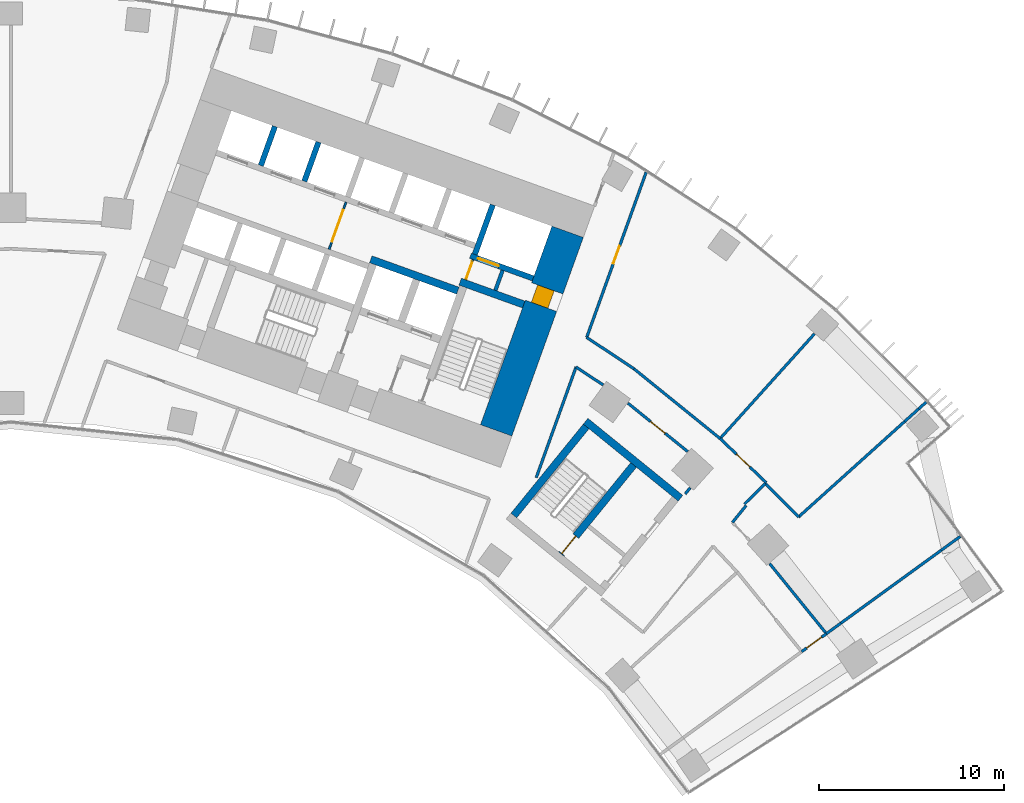
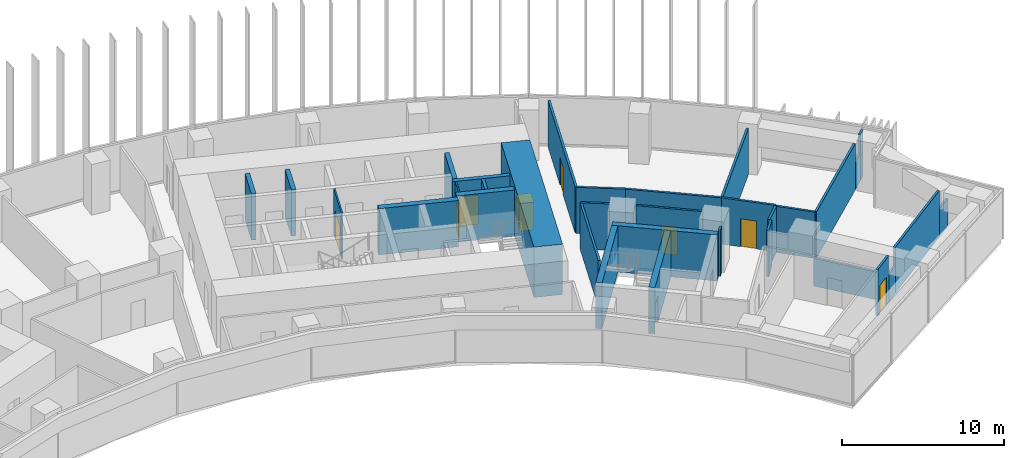
# One storey, part 22 of 25: 33 walls, 9 doors, 9 openings.
"""IFC4 building model written with IfcOpenShell, lengths in metres."""

from ifc_helpers import new_model, si_unit, direction, frame, frame_2d, origin, place, context, subcontext, project, spatial, rectangle, extrude, material, layer, layer_set, type_object, element, fill, save


model = new_model("IFC4")

# Units and contexts
model_context = context("Model", 3, precision=1e-05, world=origin(), true_north=direction((0.0, 1.0)))
body_context = subcontext(model_context, "Body", "Model", "MODEL_VIEW")
ifc_project = project(units=[si_unit("LENGTHUNIT", "METRE"), si_unit("AREAUNIT", "SQUARE_METRE"), si_unit("VOLUMEUNIT", "CUBIC_METRE"), si_unit("PLANEANGLEUNIT", "RADIAN"), si_unit("MASSUNIT", "GRAM", prefix="KILO")], contexts=[model_context])

# Site, building, storey
site_placement = place(None, origin())
site = spatial("IfcSite", under=ifc_project, at=site_placement, CompositionType="ELEMENT")
building_placement = place(site_placement, origin())
building = spatial("IfcBuilding", under=site, at=building_placement, Name="Stone Belt Terrace Tower", CompositionType="ELEMENT")
storey_placement = place(building_placement, frame((0.0, 0.0, 52.800048828125)))
storey = spatial("IfcBuildingStorey", under=building, at=storey_placement, Name="L12", CompositionType="ELEMENT", Elevation=52.800048828125)

# Wall, opening, door
ifc_material_1 = material(Name="Plasterboard partition")
ifc_layer_1 = layer(ifc_material_1, 0.10009765625)
ifc_layer_set_1 = layer_set([ifc_layer_1], Name="Core partition 100")
wall_type_1 = type_object("IfcWallType", Name="Core partition 100", PredefinedType="PARTITIONING", material=ifc_layer_set_1)
wall_1_placement = place(storey_placement, frame((24.555908203125, 51.10400390625, 0.0), z_axis=(0.0, 0.0, 1.0), x_axis=(0.338621735342, 0.94092258999, 0.0)))
wall_1 = element("IfcWall", 1, at=wall_1_placement, inside=storey, type_object=wall_type_1, Name="Core B wall", PredefinedType="PARTITIONING", context=body_context, shape_type="SweptSolid", body=[
    extrude(rectangle(XDim=1.14990234375, YDim=0.10009765625, at=frame_2d((0.574951171875, 0.0))), origin(), (0.0, 0.0, 1.0), 3.47998046875),
])
opening_1_placement = place(wall_1_placement, frame((0.050048828125, 0.0, 0.0)))
opening_1 = element("IfcOpeningElement", 2, at=opening_1_placement, cuts=wall_1, Name="Opening L12-C13", PredefinedType="OPENING", context=body_context, shape_type="SweptSolid", body=[
    extrude(rectangle(XDim=1.0, YDim=2.10009765625, at=frame_2d((0.5, 1.050048828125))), frame((0.0, 0.06005859375, 0.0), z_axis=(0.0, -1.0, 0.0), x_axis=(1.0, 0.0, 0.0)), (0.0, 0.0, 1.0), 0.1201171875),
])
ifc_material_2 = material(Name="Timber door leaf", Category="wood")
door_type_1 = type_object("IfcDoorType", Name="Core room door 1000", OperationType="SINGLE_SWING_LEFT", PredefinedType="DOOR", material=ifc_material_2)
door_1_placement = place(opening_1_placement, origin())
door_1 = element("IfcDoor", 3, at=door_1_placement, inside=storey, type_object=door_type_1, Name="Service lift lobby door core B", OperationType="SINGLE_SWING_LEFT", OverallHeight=2.10009765625, OverallWidth=1.0, PredefinedType="DOOR", context=body_context, shape_type="SweptSolid", body=[
    extrude(rectangle(XDim=1.0, YDim=2.10009765625, at=frame_2d((0.5, 1.050048828125))), frame((0.0, 0.02490234375, 0.0), z_axis=(0.0, -1.0, 0.0), x_axis=(1.0, 0.0, 0.0)), (0.0, 0.0, 1.0), 0.050048828125),
])
fill(opening_1, door_1)

wall_2_placement = place(storey_placement, frame((17.17724609375, 52.749755859375, 0.0), z_axis=(0.0, 0.0, 1.0), x_axis=(0.338546555931, 0.940949642365, 0.0)))
wall_2 = element("IfcWall", 4, at=wall_2_placement, inside=storey, type_object=wall_type_1, Name="Core B wall", PredefinedType="PARTITIONING", context=body_context, shape_type="SweptSolid", body=[
    extrude(rectangle(XDim=2.699951171875, YDim=0.10009765625, at=frame_2d((1.35009765625, 0.0))), origin(), (0.0, 0.0, 1.0), 3.47998046875),
])
opening_2_placement = place(wall_2_placement, frame((0.449951171875, 0.0, 0.0)))
opening_2 = element("IfcOpeningElement", 5, at=opening_2_placement, cuts=wall_2, Name="Opening L12-C14", PredefinedType="OPENING", context=body_context, shape_type="SweptSolid", body=[
    extrude(rectangle(XDim=1.800048828125, YDim=2.10009765625, at=frame_2d((0.89990234375, 1.050048828125))), frame((0.0, 0.06005859375, 0.0), z_axis=(0.0, -1.0, 0.0), x_axis=(1.0, 0.0, 0.0)), (0.0, 0.0, 1.0), 0.1201171875),
])
ifc_material_3 = material(Name="Glazed aluminium door leaf", Category="aluminium")
door_type_2 = type_object("IfcDoorType", Name="Lift lobby entrance door 1800", OperationType="DOUBLE_DOOR_SINGLE_SWING", PredefinedType="DOOR", material=ifc_material_3)
door_2_placement = place(opening_2_placement, origin())
door_2 = element("IfcDoor", 6, at=door_2_placement, inside=storey, type_object=door_type_2, Name="Lift lobby double door core B", OperationType="DOUBLE_DOOR_SINGLE_SWING", OverallHeight=2.10009765625, OverallWidth=1.800048828125, PredefinedType="DOOR", context=body_context, shape_type="SweptSolid", body=[
    extrude(rectangle(XDim=1.800048828125, YDim=2.10009765625, at=frame_2d((0.89990234375, 1.050048828125))), frame((0.0, 0.02490234375, 0.0), z_axis=(0.0, -1.0, 0.0), x_axis=(1.0, 0.0, 0.0)), (0.0, 0.0, 1.0), 0.050048828125),
])
fill(opening_2, door_2)

ifc_material_4 = material(Name="Concrete B80", Category="concrete")
ifc_layer_2 = layer(ifc_material_4, 1.800048828125)
ifc_layer_set_2 = layer_set([ifc_layer_2], Name="Core wall 1800 B80")
wall_type_2 = type_object("IfcWallType", Name="Core wall 1800 B80", PredefinedType="SHEAR", material=ifc_layer_set_2)
wall_3_placement = place(storey_placement, frame((26.197509765625, 42.96728515625, 0.0), z_axis=(0.0, 0.0, 1.0), x_axis=(0.338625431531, 0.940921259788, 0.0)))
wall_3 = element("IfcWall", 7, at=wall_3_placement, inside=storey, type_object=wall_type_2, Name="Core B wall end_b L12", PredefinedType="SHEAR", context=body_context, shape_type="SweptSolid", body=[
    extrude(rectangle(XDim=11.400146484375, YDim=1.800048828125, at=frame_2d((5.7001953125, 0.0))), origin(), (0.0, 0.0, 1.0), 3.800048828125),
])
opening_3_placement = place(wall_3_placement, frame((7.150146484375, 0.0, 0.0)))
opening_3 = element("IfcOpeningElement", 8, at=opening_3_placement, cuts=wall_3, Name="Opening L12-C12", PredefinedType="OPENING", context=body_context, shape_type="SweptSolid", body=[
    extrude(rectangle(XDim=1.0, YDim=2.10009765625, at=frame_2d((0.5, 1.050048828125))), frame((0.0, 0.909912109375, 0.0), z_axis=(0.0, -1.0, 0.0), x_axis=(1.0, 0.0, 0.0)), (0.0, 0.0, 1.0), 1.820068359375),
])
door_3_placement = place(opening_3_placement, origin())
door_3 = element("IfcDoor", 9, at=door_3_placement, inside=storey, type_object=door_type_1, Name="Door to Telecommunications riser room core B", OperationType="SINGLE_SWING_RIGHT", OverallHeight=2.10009765625, OverallWidth=1.0, PredefinedType="DOOR", context=body_context, shape_type="SweptSolid", body=[
    extrude(rectangle(XDim=1.0, YDim=2.10009765625, at=frame_2d((0.5, 1.050048828125))), frame((0.0, 0.55517578125, 0.0), z_axis=(0.0, -1.0, 0.0), x_axis=(1.0, 0.0, 0.0)), (0.0, 0.0, 1.0), 0.949951171875),
])
fill(opening_3, door_3)

# Wall
ifc_layer_3 = layer(ifc_material_4, 0.39990234375)
ifc_layer_set_3 = layer_set([ifc_layer_3], Name="Fire-fighting lift shaft wall 400")
wall_type_3 = type_object("IfcWallType", Name="Fire-fighting lift shaft wall 400", PredefinedType="SHEAR", material=ifc_layer_set_3)
wall_4_placement = place(storey_placement, frame((24.130615234375, 50.512939453125, 0.0), z_axis=(0.0, 0.0, 1.0), x_axis=(-0.94091168377, 0.338652038744, 0.0)))
element("IfcWall", 10, at=wall_4_placement, inside=storey, type_object=wall_type_3, Name="Core B wall", PredefinedType="SHEAR", context=body_context, shape_type="SweptSolid", body=[
    extrude(rectangle(XDim=5.000244140625, YDim=0.39990234375, at=frame_2d((2.5, 0.0))), origin(), (0.0, 0.0, 1.0), 3.47998046875),
])

# Wall, opening, door
ifc_layer_4 = layer(ifc_material_4, 0.300048828125)
ifc_layer_set_4 = layer_set([ifc_layer_4], Name="Lift shaft wall 300")
wall_type_4 = type_object("IfcWallType", Name="Lift shaft wall 300", PredefinedType="SHEAR", material=ifc_layer_set_4)
wall_5_placement = place(storey_placement, frame((28.195068359375, 51.17578125, 0.0), z_axis=(0.0, 0.0, 1.0), x_axis=(-0.940901243567, 0.338681044427, 0.0)))
wall_5 = element("IfcWall", 11, at=wall_5_placement, inside=storey, type_object=wall_type_4, Name="Core B wall", PredefinedType="SHEAR", context=body_context, shape_type="SweptSolid", body=[
    extrude(rectangle(XDim=3.599853515625, YDim=0.300048828125, at=frame_2d((1.7998046875, 0.0))), origin(), (0.0, 0.0, 1.0), 3.47998046875),
])
opening_4_placement = place(wall_5_placement, frame((1.969970703125, 0.0, 0.0)))
opening_4 = element("IfcOpeningElement", 12, at=opening_4_placement, cuts=wall_5, Name="Opening L12-LD18", PredefinedType="OPENING", context=body_context, shape_type="SweptSolid", body=[
    extrude(rectangle(XDim=1.199951171875, YDim=2.199951171875, at=frame_2d((0.60009765625, 1.10009765625))), frame((0.0, 0.159912109375, 0.0), z_axis=(0.0, -1.0, 0.0), x_axis=(1.0, 0.0, 0.0)), (0.0, 0.0, 1.0), 0.320068359375),
])
ifc_material_5 = material(Name="Stainless steel door leaf", Category="steel")
door_type_3 = type_object("IfcDoorType", Name="Landing door 1200", OperationType="SLIDING_TO_LEFT", PredefinedType="DOOR", material=ifc_material_5)
door_4_placement = place(opening_4_placement, origin())
door_4 = element("IfcDoor", 13, at=door_4_placement, inside=storey, type_object=door_type_3, Name="Landing door SV1 core B", OperationType="SLIDING_TO_LEFT", OverallHeight=2.199951171875, OverallWidth=1.199951171875, PredefinedType="DOOR", context=body_context, shape_type="SweptSolid", body=[
    extrude(rectangle(XDim=1.199951171875, YDim=2.199951171875, at=frame_2d((0.60009765625, 1.10009765625))), frame((0.0, 0.02490234375, 0.0), z_axis=(0.0, -1.0, 0.0), x_axis=(1.0, 0.0, 0.0)), (0.0, 0.0, 1.0), 0.050048828125),
])
fill(opening_4, door_4)

# Walls
wall_6_placement = place(storey_placement, frame((25.046875, 52.46826171875, 0.0), z_axis=(0.0, 0.0, 1.0), x_axis=(0.338549588058, 0.940948551423, 0.0)))
element("IfcWall", 14, at=wall_6_placement, inside=storey, type_object=wall_type_4, Name="Core B wall", PredefinedType="SHEAR", context=body_context, shape_type="SweptSolid", body=[
    extrude(rectangle(XDim=2.849853515625, YDim=0.300048828125, at=frame_2d((1.4248046875, 0.0))), origin(), (0.0, 0.0, 1.0), 3.47998046875),
])
wall_7_placement = place(storey_placement, frame((15.8408203125, 56.419189453125, 0.0), z_axis=(0.0, 0.0, 1.0), x_axis=(0.338569601369, 0.940941350472, 0.0)))
element("IfcWall", 15, at=wall_7_placement, inside=storey, type_object=wall_type_4, Name="Core B wall", PredefinedType="SHEAR", context=body_context, shape_type="SweptSolid", body=[
    extrude(rectangle(XDim=2.249755859375, YDim=0.300048828125, at=frame_2d((1.125, 0.0))), origin(), (0.0, 0.0, 1.0), 3.47998046875),
])
wall_8_placement = place(storey_placement, frame((13.48828125, 57.265625, 0.0), z_axis=(0.0, 0.0, 1.0), x_axis=(0.338631098537, 0.940919220286, 0.0)))
element("IfcWall", 16, at=wall_8_placement, inside=storey, type_object=wall_type_4, Name="Core B wall", PredefinedType="SHEAR", context=body_context, shape_type="SweptSolid", body=[
    extrude(rectangle(XDim=2.250244140625, YDim=0.300048828125, at=frame_2d((1.125, 0.0))), origin(), (0.0, 0.0, 1.0), 3.47998046875),
])
ifc_material_6 = material(Name="Gypsum board partition")
ifc_layer_5 = layer(ifc_material_6, 0.14990234375)
ifc_layer_set_5 = layer_set([ifc_layer_5], Name="PARTITION 150 EI 60")
wall_type_5 = type_object("IfcWallType", Name="PARTITION 150 EI 60", PredefinedType="PARTITIONING", material=ifc_layer_set_5)
wall_9_placement = place(storey_placement, frame((30.512939453125, 46.39599609375, 0.0), z_axis=(0.0, 0.0, 1.0), x_axis=(-0.338588876135, -0.940934414801, 0.0)))
element("IfcWall", 17, at=wall_9_placement, inside=storey, type_object=wall_type_5, Name="L12/wall/i025", PredefinedType="PARTITIONING", context=body_context, shape_type="SweptSolid", body=[
    extrude(rectangle(XDim=6.35546875, YDim=0.14990234375, at=frame_2d((3.177734375, 0.0))), origin(), (0.0, 0.0, 1.0), 3.47998046875),
])

# Wall, opening, door
wall_10_placement = place(storey_placement, frame((34.298095703125, 56.91015625, 0.0), z_axis=(0.0, 0.0, 1.0), x_axis=(-0.33871491295, -0.940889051772, 0.0)))
wall_10 = element("IfcWall", 18, at=wall_10_placement, inside=storey, type_object=wall_type_5, Name="L12/wall/i027", PredefinedType="PARTITIONING", context=body_context, shape_type="SweptSolid", body=[
    extrude(rectangle(XDim=9.489013671875, YDim=0.14990234375, at=frame_2d((4.74462890625, 0.0))), origin(), (0.0, 0.0, 1.0), 3.47998046875),
])
opening_5_placement = place(wall_10_placement, frame((4.244384765625, 0.0, 0.0)))
opening_5 = element("IfcOpeningElement", 19, at=opening_5_placement, cuts=wall_10, Name="Opening D-A3b-24", PredefinedType="OPENING", context=body_context, shape_type="SweptSolid", body=[
    extrude(rectangle(XDim=1.0, YDim=2.10009765625, at=frame_2d((0.5, 1.050048828125))), frame((0.0, 0.0849609375, 0.0), z_axis=(0.0, -1.0, 0.0), x_axis=(1.0, 0.0, 0.0)), (0.0, 0.0, 1.0), 0.169921875),
])
ifc_material_7 = material(Name="Timber fire door leaf", Category="wood")
door_type_4 = type_object("IfcDoorType", Name="TENANCY ENTRANCE DOOR 1000 X 2100", OperationType="NOTDEFINED", PredefinedType="DOOR", material=ifc_material_7)
door_5_placement = place(opening_5_placement, origin())
door_5 = element("IfcDoor", 20, at=door_5_placement, inside=storey, type_object=door_type_4, Name="L12/door/i24", OperationType="SINGLE_SWING_RIGHT", OverallHeight=2.10009765625, OverallWidth=1.0, PredefinedType="DOOR", context=body_context, shape_type="SweptSolid", body=[
    extrude(rectangle(XDim=1.0, YDim=2.10009765625, at=frame_2d((0.5, 1.050048828125))), frame((0.0, 0.02490234375, 0.0), z_axis=(0.0, -1.0, 0.0), x_axis=(1.0, 0.0, 0.0)), (0.0, 0.0, 1.0), 0.050048828125),
])
fill(opening_5, door_5)

wall_11_placement = place(storey_placement, frame((44.035888671875, 31.992919921875, 0.0), z_axis=(0.0, 0.0, 1.0), x_axis=(-0.809123336002, -0.58763885775, 0.0)))
wall_11 = element("IfcWall", 21, at=wall_11_placement, inside=storey, type_object=wall_type_5, Name="L12/wall/i061", PredefinedType="PARTITIONING", context=body_context, shape_type="SweptSolid", body=[
    extrude(rectangle(XDim=1.662353515625, YDim=0.14990234375, at=frame_2d((0.8310546875, 0.0))), origin(), (0.0, 0.0, 1.0), 3.47998046875),
])
opening_6_placement = place(wall_11_placement, frame((0.331298828125, 0.0, 0.0)))
opening_6 = element("IfcOpeningElement", 22, at=opening_6_placement, cuts=wall_11, Name="Opening D-A3b-20", PredefinedType="OPENING", context=body_context, shape_type="SweptSolid", body=[
    extrude(rectangle(XDim=1.0, YDim=2.10009765625, at=frame_2d((0.5, 1.050048828125))), frame((0.0, 0.0849609375, 0.0), z_axis=(0.0, -1.0, 0.0), x_axis=(1.0, 0.0, 0.0)), (0.0, 0.0, 1.0), 0.169921875),
])
door_6_placement = place(opening_6_placement, origin())
door_6 = element("IfcDoor", 23, at=door_6_placement, inside=storey, type_object=door_type_4, Name="L12/door/i20", OperationType="SINGLE_SWING_RIGHT", OverallHeight=2.10009765625, OverallWidth=1.0, PredefinedType="DOOR", context=body_context, shape_type="SweptSolid", body=[
    extrude(rectangle(XDim=1.0, YDim=2.10009765625, at=frame_2d((0.5, 1.050048828125))), frame((0.0, 0.02490234375, 0.0), z_axis=(0.0, -1.0, 0.0), x_axis=(1.0, 0.0, 0.0)), (0.0, 0.0, 1.0), 0.050048828125),
])
fill(opening_6, door_6)

# Walls
wall_12_placement = place(storey_placement, frame((44.02587890625, 31.987060546875, 0.0), z_axis=(0.0, 0.0, 1.0), x_axis=(0.809158101852, 0.587590985472, 0.0)))
element("IfcWall", 24, at=wall_12_placement, inside=storey, type_object=wall_type_5, Name="L12/wall/i063-1", PredefinedType="PARTITIONING", context=body_context, shape_type="SweptSolid", body=[
    extrude(rectangle(XDim=0.97509765625, YDim=0.14990234375, at=frame_2d((0.487548828125, 0.0))), origin(), (0.0, 0.0, 1.0), 2.079833984375),
])
wall_13_placement = place(storey_placement, frame((44.81494140625, 32.56005859375, 0.0), z_axis=(0.0, 0.0, 1.0), x_axis=(0.809043751562, 0.587748422422, 0.0)))
element("IfcWall", 25, at=wall_13_placement, inside=storey, type_object=wall_type_5, Name="L12/wall/i063-2", PredefinedType="PARTITIONING", context=body_context, shape_type="SweptSolid", body=[
    extrude(rectangle(XDim=6.68896484375, YDim=0.14990234375, at=frame_2d((3.344482421875, 0.0))), origin(), (0.0, 0.0, 1.0), 3.47998046875),
])
wall_14_placement = place(storey_placement, frame((50.2265625, 36.491455078125, 0.0), z_axis=(0.0, 0.0, 1.0), x_axis=(0.809009310944, 0.587795827483, 0.0)))
element("IfcWall", 26, at=wall_14_placement, inside=storey, type_object=wall_type_5, Name="L12/wall/i063-3", PredefinedType="PARTITIONING", context=body_context, shape_type="SweptSolid", body=[
    extrude(rectangle(XDim=1.274658203125, YDim=0.14990234375, at=frame_2d((0.63720703125, 0.0))), origin(), (0.0, 0.0, 1.0), 2.079833984375),
])

# Wall, opening, door
wall_15_placement = place(storey_placement, frame((36.540771484375, 41.8232421875, 0.0), z_axis=(0.0, 0.0, 1.0), x_axis=(-0.777128540701, 0.629341903283, 0.0)))
wall_15 = element("IfcWall", 27, at=wall_15_placement, inside=storey, type_object=wall_type_5, Name="L12/wall/i064", PredefinedType="PARTITIONING", context=body_context, shape_type="SweptSolid", body=[
    extrude(rectangle(XDim=4.15478515625, YDim=0.14990234375, at=frame_2d((2.077392578125, 0.0))), origin(), (0.0, 0.0, 1.0), 3.47998046875),
])
opening_7_placement = place(wall_15_placement, frame((1.577392578125, 0.0, 0.0)))
opening_7 = element("IfcOpeningElement", 28, at=opening_7_placement, cuts=wall_15, Name="Opening D-A3b-21", PredefinedType="OPENING", context=body_context, shape_type="SweptSolid", body=[
    extrude(rectangle(XDim=1.0, YDim=2.10009765625, at=frame_2d((0.5, 1.050048828125))), frame((0.0, 0.0849609375, 0.0), z_axis=(0.0, -1.0, 0.0), x_axis=(1.0, 0.0, 0.0)), (0.0, 0.0, 1.0), 0.169921875),
])
door_7_placement = place(opening_7_placement, origin())
door_7 = element("IfcDoor", 29, at=door_7_placement, inside=storey, type_object=door_type_4, Name="L12/door/i21", OperationType="SINGLE_SWING_RIGHT", OverallHeight=2.10009765625, OverallWidth=1.0, PredefinedType="DOOR", context=body_context, shape_type="SweptSolid", body=[
    extrude(rectangle(XDim=1.0, YDim=2.10009765625, at=frame_2d((0.5, 1.050048828125))), frame((0.0, 0.02490234375, 0.0), z_axis=(0.0, -1.0, 0.0), x_axis=(1.0, 0.0, 0.0)), (0.0, 0.0, 1.0), 0.050048828125),
])
fill(opening_7, door_7)

# Walls
wall_16_placement = place(storey_placement, frame((31.9736328125, 45.420166015625, 0.0), z_axis=(0.0, 0.0, 1.0), x_axis=(-0.833460186345, 0.552579512629, 0.0)))
element("IfcWall", 30, at=wall_16_placement, inside=storey, type_object=wall_type_5, Name="L12/wall/i065", PredefinedType="PARTITIONING", context=body_context, shape_type="SweptSolid", body=[
    extrude(rectangle(XDim=1.7548828125, YDim=0.14990234375, at=frame_2d((0.87744140625, 0.0))), origin(), (0.0, 0.0, 1.0), 3.47998046875),
])
wall_17_placement = place(storey_placement, frame((31.0859375, 47.988037109375, 0.0), z_axis=(0.0, 0.0, 1.0), x_axis=(0.833238850842, -0.552913209688, 0.0)))
element("IfcWall", 31, at=wall_17_placement, inside=storey, type_object=wall_type_5, Name="L12/wall/i066", PredefinedType="PARTITIONING", context=body_context, shape_type="SweptSolid", body=[
    extrude(rectangle(XDim=3.060302734375, YDim=0.14990234375, at=frame_2d((1.5302734375, 0.0))), origin(), (0.0, 0.0, 1.0), 3.47998046875),
])
wall_18_placement = place(storey_placement, frame((33.635986328125, 46.2958984375, 0.0), z_axis=(0.0, 0.0, 1.0), x_axis=(0.777109127033, -0.629365875054, 0.0)))
element("IfcWall", 32, at=wall_18_placement, inside=storey, type_object=wall_type_5, Name="L12/wall/i067", PredefinedType="PARTITIONING", context=body_context, shape_type="SweptSolid", body=[
    extrude(rectangle(XDim=5.990234375, YDim=0.14990234375, at=frame_2d((2.9951171875, 0.0))), origin(), (0.0, 0.0, 1.0), 3.47998046875),
])

# Wall, opening, door
wall_19_placement = place(storey_placement, frame((38.291015625, 42.52587890625, 0.0), z_axis=(0.0, 0.0, 1.0), x_axis=(0.722780468826, -0.691077704664, 0.0)))
wall_19 = element("IfcWall", 33, at=wall_19_placement, inside=storey, type_object=wall_type_5, Name="L12/wall/i068", PredefinedType="PARTITIONING", context=body_context, shape_type="SweptSolid", body=[
    extrude(rectangle(XDim=3.4423828125, YDim=0.14990234375, at=frame_2d((1.72119140625, 0.0))), origin(), (0.0, 0.0, 1.0), 3.47998046875),
])
opening_8_placement = place(wall_19_placement, frame((1.22119140625, 0.0, 0.0)))
opening_8 = element("IfcOpeningElement", 34, at=opening_8_placement, cuts=wall_19, Name="Opening D-A3b-25", PredefinedType="OPENING", context=body_context, shape_type="SweptSolid", body=[
    extrude(rectangle(XDim=1.0, YDim=2.10009765625, at=frame_2d((0.5, 1.050048828125))), frame((0.0, 0.0849609375, 0.0), z_axis=(0.0, -1.0, 0.0), x_axis=(1.0, 0.0, 0.0)), (0.0, 0.0, 1.0), 0.169921875),
])
door_8_placement = place(opening_8_placement, origin())
door_8 = element("IfcDoor", 35, at=door_8_placement, inside=storey, type_object=door_type_4, Name="L12/door/i25", OperationType="SINGLE_SWING_RIGHT", OverallHeight=2.10009765625, OverallWidth=1.0, PredefinedType="DOOR", context=body_context, shape_type="SweptSolid", body=[
    extrude(rectangle(XDim=1.0, YDim=2.10009765625, at=frame_2d((0.5, 1.050048828125))), frame((0.0, 0.02490234375, 0.0), z_axis=(0.0, -1.0, 0.0), x_axis=(1.0, 0.0, 0.0)), (0.0, 0.0, 1.0), 0.050048828125),
])
fill(opening_8, door_8)

# Walls
wall_20_placement = place(storey_placement, frame((40.72802734375, 40.096923828125, 0.0), z_axis=(0.0, 0.0, 1.0), x_axis=(-0.712511967549, -0.7016599576, 0.0)))
element("IfcWall", 36, at=wall_20_placement, inside=storey, type_object=wall_type_5, Name="L12/wall/i069", PredefinedType="PARTITIONING", context=body_context, shape_type="SweptSolid", body=[
    extrude(rectangle(XDim=1.57470703125, YDim=0.14990234375, at=frame_2d((0.787353515625, 0.0))), origin(), (0.0, 0.0, 1.0), 3.47998046875),
])
wall_21_placement = place(storey_placement, frame((40.96875, 35.771484375, 0.0), z_axis=(0.0, 0.0, 1.0), x_axis=(0.629328121528, -0.777139701375, 0.0)))
element("IfcWall", 37, at=wall_21_placement, inside=storey, type_object=wall_type_5, Name="L12/wall/i073", PredefinedType="PARTITIONING", context=body_context, shape_type="SweptSolid", body=[
    extrude(rectangle(XDim=4.865966796875, YDim=0.14990234375, at=frame_2d((2.43310546875, 0.0))), origin(), (0.0, 0.0, 1.0), 2.079833984375),
])
wall_22_placement = place(storey_placement, frame((36.406005859375, 39.537109375, 0.0), z_axis=(0.0, 0.0, 1.0), x_axis=(0.630378027046, 0.776288311787, 0.0)))
element("IfcWall", 38, at=wall_22_placement, inside=storey, type_object=wall_type_5, Name="L12/wall/i074", PredefinedType="PARTITIONING", context=body_context, shape_type="SweptSolid", body=[
    extrude(rectangle(XDim=0.428466796875, YDim=0.14990234375, at=frame_2d((0.21435546875, 0.0))), origin(), (0.0, 0.0, 1.0), 3.47998046875),
])
wall_23_placement = place(storey_placement, frame((39.695068359375, 38.908935546875, 0.0), z_axis=(0.0, 0.0, 1.0), x_axis=(-0.630443636726, -0.776235029428, 0.0)))
element("IfcWall", 39, at=wall_23_placement, inside=storey, type_object=wall_type_5, Name="L12/wall/i077", PredefinedType="PARTITIONING", context=body_context, shape_type="SweptSolid", body=[
    extrude(rectangle(XDim=1.172119140625, YDim=0.14990234375, at=frame_2d((0.5859375, 0.0))), origin(), (0.0, 0.0, 1.0), 3.47998046875),
])
wall_24_placement = place(storey_placement, frame((43.382080078125, 48.18115234375, 0.0), z_axis=(0.0, 0.0, 1.0), x_axis=(-0.669060448127, -0.743207990237, 0.0)))
element("IfcWall", 40, at=wall_24_placement, inside=storey, type_object=wall_type_5, Name="L12/wall/i079", PredefinedType="PARTITIONING", context=body_context, shape_type="SweptSolid", body=[
    extrude(rectangle(XDim=7.609375, YDim=0.14990234375, at=frame_2d((3.8046875, 0.0))), origin(), (0.0, 0.0, 1.0), 3.47998046875),
])
wall_25_placement = place(storey_placement, frame((49.41943359375, 44.496826171875, 0.0), z_axis=(0.0, 0.0, 1.0), x_axis=(-0.743338198948, -0.668915780936, 0.0)))
element("IfcWall", 41, at=wall_25_placement, inside=storey, type_object=wall_type_5, Name="L12/wall/i080-1", PredefinedType="PARTITIONING", context=body_context, shape_type="SweptSolid", body=[
    extrude(rectangle(XDim=0.551025390625, YDim=0.14990234375, at=frame_2d((0.275390625, 0.0))), origin(), (0.0, 0.0, 1.0), 3.47998046875),
])
wall_26_placement = place(storey_placement, frame((49.009765625, 44.128173828125, 0.0), z_axis=(0.0, 0.0, 1.0), x_axis=(-0.743185767027, -0.669085133364, 0.0)))
element("IfcWall", 42, at=wall_26_placement, inside=storey, type_object=wall_type_5, Name="L12/wall/i080-2", PredefinedType="PARTITIONING", context=body_context, shape_type="SweptSolid", body=[
    extrude(rectangle(XDim=1.00830078125, YDim=0.14990234375, at=frame_2d((0.504150390625, 0.0))), origin(), (0.0, 0.0, 1.0), 2.079833984375),
])
wall_27_placement = place(storey_placement, frame((48.260498046875, 43.45361328125, 0.0), z_axis=(0.0, 0.0, 1.0), x_axis=(-0.743201315603, -0.669067862392, 0.0)))
element("IfcWall", 43, at=wall_27_placement, inside=storey, type_object=wall_type_5, Name="L12/wall/i080-3", PredefinedType="PARTITIONING", context=body_context, shape_type="SweptSolid", body=[
    extrude(rectangle(XDim=7.716064453125, YDim=0.14990234375, at=frame_2d((3.85791015625, 0.0))), origin(), (0.0, 0.0, 1.0), 3.47998046875),
])
wall_28_placement = place(storey_placement, frame((42.52587890625, 38.291015625, 0.0), z_axis=(0.0, 0.0, 1.0), x_axis=(-0.707058875846, 0.707154683282, 0.0)))
element("IfcWall", 44, at=wall_28_placement, inside=storey, type_object=wall_type_5, Name="L12/wall/i081", PredefinedType="PARTITIONING", context=body_context, shape_type="SweptSolid", body=[
    extrude(rectangle(XDim=2.54833984375, YDim=0.14990234375, at=frame_2d((1.274169921875, 0.0))), origin(), (0.0, 0.0, 1.0), 3.47998046875),
])
ifc_material_8 = material(Name="Concrete masonry block", Category="masonry")
ifc_layer_6 = layer(ifc_material_8, 0.199951171875)
ifc_layer_set_6 = layer_set([ifc_layer_6], Name="Rated lobby wall 200")
wall_type_6 = type_object("IfcWallType", Name="Rated lobby wall 200", PredefinedType="PARTITIONING", material=ifc_layer_set_6)
wall_29_placement = place(storey_placement, frame((26.1552734375, 50.5283203125, 0.0), z_axis=(0.0, 0.0, 1.0), x_axis=(0.338621735342, 0.94092258999, 0.0)))
element("IfcWall", 45, at=wall_29_placement, inside=storey, type_object=wall_type_6, Name="Core B wall", PredefinedType="PARTITIONING", context=body_context, shape_type="SweptSolid", body=[
    extrude(rectangle(XDim=1.14990234375, YDim=0.199951171875, at=frame_2d((0.574951171875, 0.0))), origin(), (0.0, 0.0, 1.0), 3.47998046875),
])
ifc_layer_7 = layer(ifc_material_4, 0.39990234375)
ifc_layer_set_7 = layer_set([ifc_layer_7], Name="Stair enclosure wall 400")
wall_type_7 = type_object("IfcWallType", Name="Stair enclosure wall 400", PredefinedType="SHEAR", material=ifc_layer_set_7)
wall_30_placement = place(storey_placement, frame((27.687255859375, 49.764404296875, 0.0), z_axis=(0.0, 0.0, 1.0), x_axis=(-0.940918954884, 0.338631835981, 0.0)))
element("IfcWall", 46, at=wall_30_placement, inside=storey, type_object=wall_type_7, Name="Core B wall", PredefinedType="SHEAR", context=body_context, shape_type="SweptSolid", body=[
    extrude(rectangle(XDim=3.650146484375, YDim=0.39990234375, at=frame_2d((1.8251953125, 0.0))), origin(), (0.0, 0.0, 1.0), 3.47998046875),
])
wall_31_placement = place(storey_placement, frame((31.02783203125, 43.46337890625, 0.0), z_axis=(0.0, 0.0, 1.0), x_axis=(0.776413760801, -0.630223509589, 0.0)))
element("IfcWall", 47, at=wall_31_placement, inside=storey, type_object=wall_type_7, Name="Exit stair ST3B wall", PredefinedType="SHEAR", context=body_context, shape_type="SweptSolid", body=[
    extrude(rectangle(XDim=6.599853515625, YDim=0.39990234375, at=frame_2d((3.2998046875, 0.0))), origin(), (0.0, 0.0, 1.0), 3.47998046875),
])
wall_32_placement = place(storey_placement, frame((27.149658203125, 38.3681640625, 0.0), z_axis=(0.0, 0.0, 1.0), x_axis=(0.630211551729, 0.776423466973, 0.0)))
element("IfcWall", 48, at=wall_32_placement, inside=storey, type_object=wall_type_7, Name="Exit stair ST3B wall", PredefinedType="SHEAR", context=body_context, shape_type="SweptSolid", body=[
    extrude(rectangle(XDim=6.199951171875, YDim=0.39990234375, at=frame_2d((3.10009765625, 0.0))), origin(), (0.0, 0.0, 1.0), 3.47998046875),
])

# Wall, opening, door
wall_33_placement = place(storey_placement, frame((29.7119140625, 36.288330078125, 0.0), z_axis=(0.0, 0.0, 1.0), x_axis=(0.630192283849, 0.776439106033, 0.0)))
wall_33 = element("IfcWall", 49, at=wall_33_placement, inside=storey, type_object=wall_type_7, Name="Exit stair ST3B wall", PredefinedType="SHEAR", context=body_context, shape_type="SweptSolid", body=[
    extrude(rectangle(XDim=6.199951171875, YDim=0.39990234375, at=frame_2d((3.10009765625, 0.0))), origin(), (0.0, 0.0, 1.0), 3.47998046875),
])
opening_9_placement = place(wall_33_placement, frame((0.050048828125, 0.0, 0.0)))
opening_9 = element("IfcOpeningElement", 50, at=opening_9_placement, cuts=wall_33, Name="Opening L12-C26", PredefinedType="OPENING", context=body_context, shape_type="SweptSolid", body=[
    extrude(rectangle(XDim=1.199951171875, YDim=2.10009765625, at=frame_2d((0.60009765625, 1.050048828125))), frame((0.0, 0.2099609375, 0.0), z_axis=(0.0, -1.0, 0.0), x_axis=(1.0, 0.0, 0.0)), (0.0, 0.0, 1.0), 0.419921875),
])
ifc_material_9 = material(Name="Steel door leaf", Category="steel")
door_type_5 = type_object("IfcDoorType", Name="Stair door 1200", OperationType="SINGLE_SWING_LEFT", PredefinedType="DOOR", material=ifc_material_9)
door_9_placement = place(opening_9_placement, origin())
door_9 = element("IfcDoor", 51, at=door_9_placement, inside=storey, type_object=door_type_5, Name="Stair door ST3B", OperationType="SINGLE_SWING_LEFT", OverallHeight=2.10009765625, OverallWidth=1.199951171875, PredefinedType="DOOR", context=body_context, shape_type="SweptSolid", body=[
    extrude(rectangle(XDim=1.199951171875, YDim=2.10009765625, at=frame_2d((0.60009765625, 1.050048828125))), frame((0.0, 0.02490234375, 0.0), z_axis=(0.0, -1.0, 0.0), x_axis=(1.0, 0.0, 0.0)), (0.0, 0.0, 1.0), 0.050048828125),
])
fill(opening_9, door_9)

save(model, "model.ifc")
